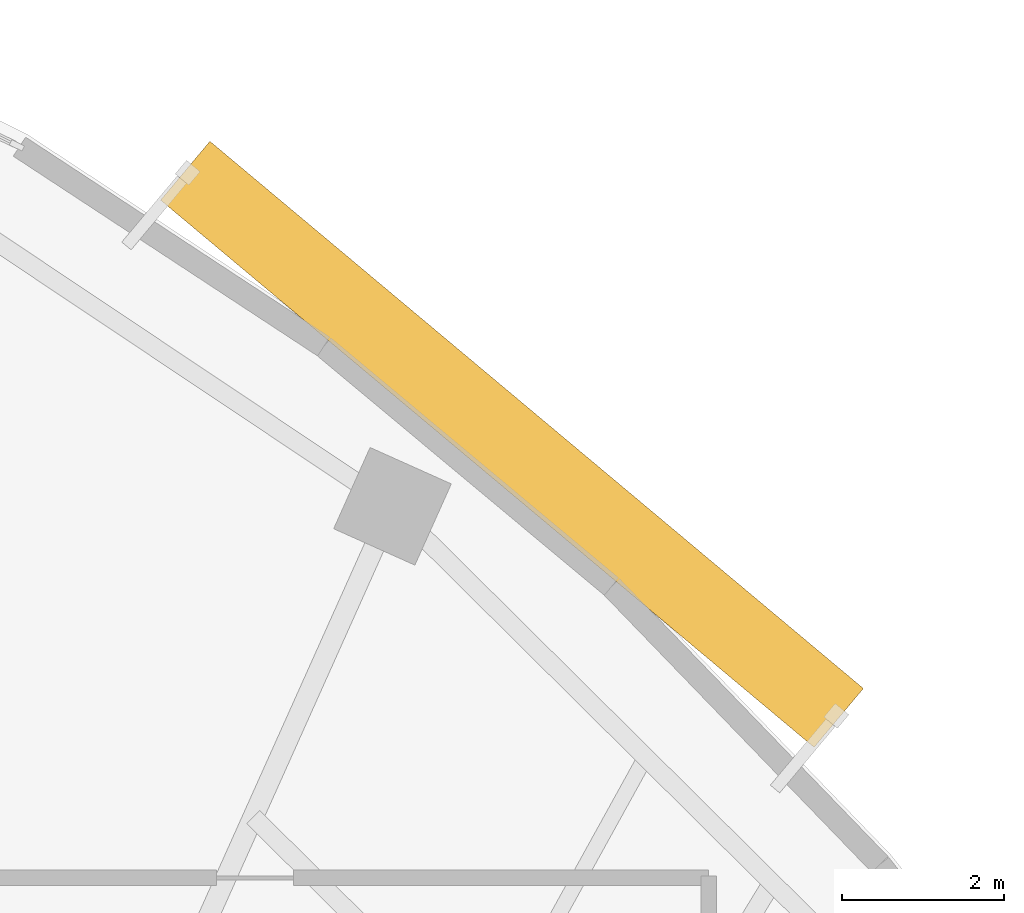
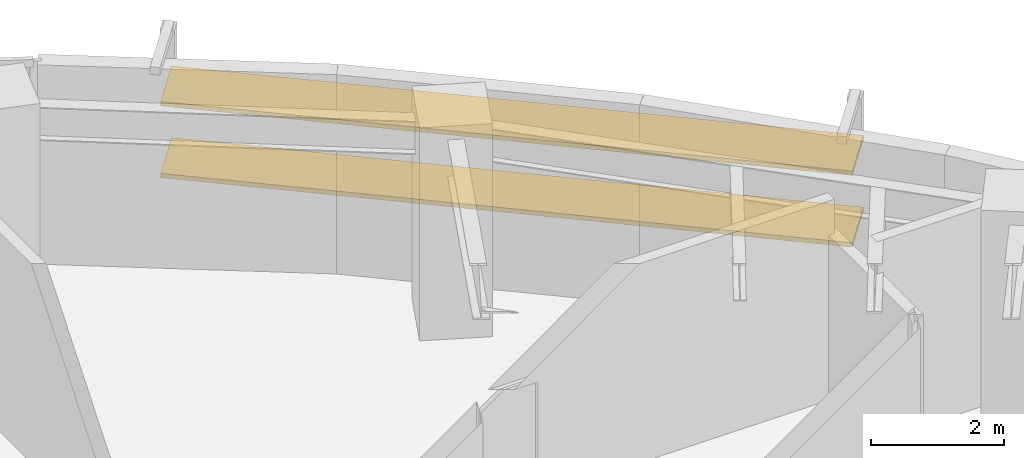
# One storey, part 13 of 13: 2 shading devices.
"""IFC4 building model written with IfcOpenShell, lengths in metres."""

from ifc_helpers import new_model, si_unit, direction, frame, origin, origin_2d, place, context, subcontext, project, spatial, rectangle, extrude, source, transform, mapped, material, material_profile, profile_set, type_object, element, save


model = new_model("IFC4")

# Units and contexts
model_context = context("Model", 3, precision=1e-05, world=origin(), true_north=direction((0.0, 1.0)))
body_context = subcontext(model_context, "Body", "Model", "MODEL_VIEW")
ifc_project = project(units=[si_unit("LENGTHUNIT", "METRE"), si_unit("AREAUNIT", "SQUARE_METRE"), si_unit("VOLUMEUNIT", "CUBIC_METRE"), si_unit("PLANEANGLEUNIT", "RADIAN"), si_unit("MASSUNIT", "GRAM", prefix="KILO")], contexts=[model_context])

# Site, building, storey
site_placement = place(None, origin())
site = spatial("IfcSite", under=ifc_project, at=site_placement, CompositionType="ELEMENT")
building_placement = place(site_placement, origin())
building = spatial("IfcBuilding", under=site, at=building_placement, Name="Breltana Convention Tower", CompositionType="ELEMENT")
storey_placement = place(building_placement, frame((0.0, 0.0, 154.5)))
storey = spatial("IfcBuildingStorey", under=building, at=storey_placement, Name="L37", CompositionType="ELEMENT", Elevation=154.5)

# Shading devices
ifc_material = material(Name="Limestone Warm Buff Honed", Category="masonry")
ifc_material_profile = material_profile(ifc_material, rectangle(XDim=0.949951171875, YDim=0.080078125, at=origin_2d()), Name="STN-LVR-950X80")
ifc_profile_set = profile_set([ifc_material_profile], Name="Limestone Warm Buff Honed")
shading_device_type = type_object("IfcShadingDeviceType", Name="SHD-OUTER-SKIN-LIMESTONE-950", PredefinedType="JALOUSIE", material=ifc_profile_set)
shared_shape = source(origin(), body_context, "Body", "SweptSolid", [
    extrude(rectangle(XDim=0.949951171875, YDim=0.080078125, at=origin_2d()), origin(), (0.0, 0.0, 1.0), 10.538330078125),
])
for number, where, z_axis, x_axis, name in (
    (1, (66.34814453125, 72.782958984375, 1.31396484375), (0.766705694316, -0.641998736996, 0.0), (0.641998736996, 0.766705694316, 0.0), "L37 outer skin warm limestone louvre 2.1"),
    (2, (66.34814453125, 72.782958984375, 2.6279296875), (0.766705694316, -0.641998736996, 0.0), (0.641998736996, 0.766705694316, 0.0), "L37 outer skin warm limestone louvre 2.2"),
):
    element("IfcShadingDevice", number, at=place(storey_placement, frame(where, z_axis=z_axis, x_axis=x_axis)), inside=storey, type_object=shading_device_type, Name=name, PredefinedType="JALOUSIE", context=body_context, shape_type="MappedRepresentation", body=[
        mapped(shared_shape, transform((0.0, 0.0, 0.0), scale=1.0)),
    ])

save(model, "model.ifc")
